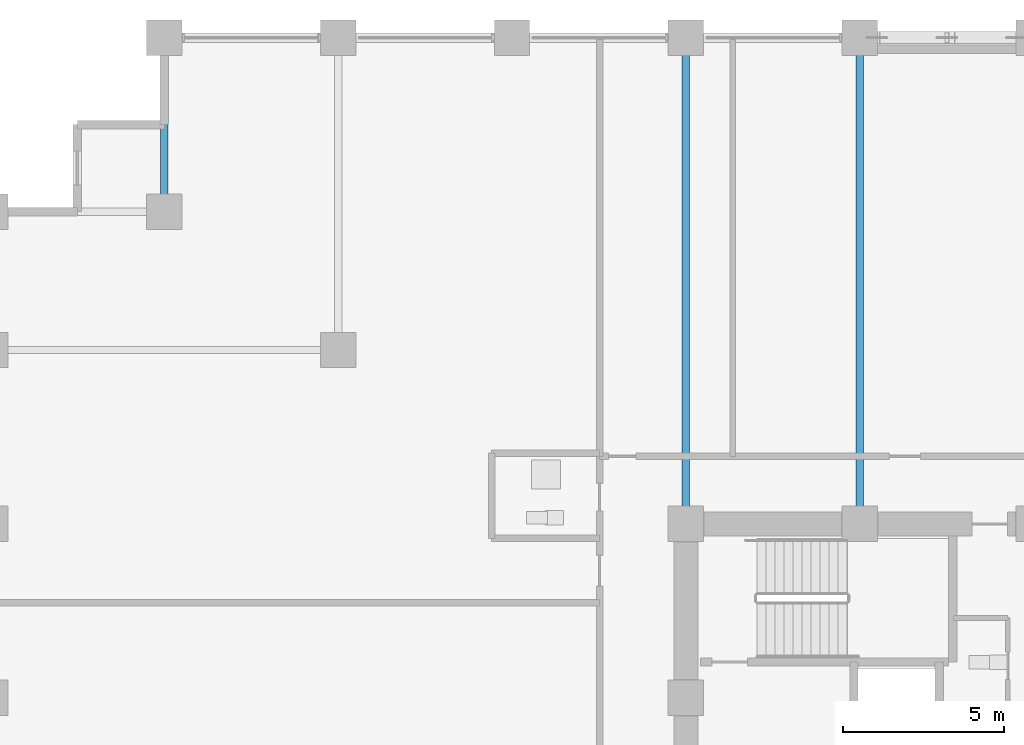
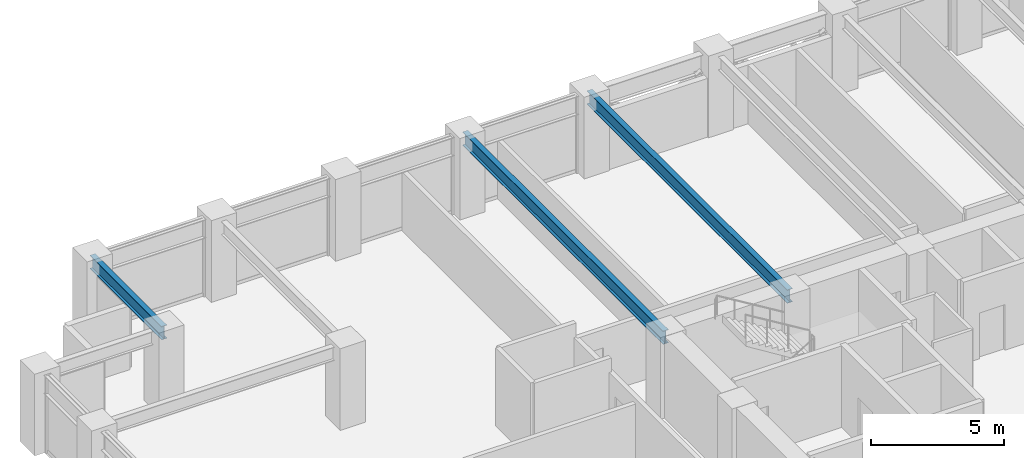
# One storey, part 13 of 29: 3 beams.
"""IFC4 building model written with IfcOpenShell, lengths in metres."""

import ifcopenshell
import ifcopenshell.guid

model = None  # the IFC model being written
_history = None  # IfcOwnerHistory: only IFC2X3 demands one
_inside = {}  # id of a spatial element -> (the spatial element, [elements in it])
_under = {}  # id of a project, library or spatial element -> (it, [spatial elements below it])
_declared = {}  # id of a project -> (the project, [libraries it declares])
_typed = {}  # id of a type object -> (the type object, [elements of that type])
_made_of = {}  # id of a material, layer set ... -> (it, [elements and type objects made of it])


def new_model(schema):
    """Start an empty IFC model of exactly this schema.

    Asked for "IFC4X3", IfcOpenShell would pick the latest addendum, in which some entities
    have other attributes; the version numbers below select the first issue.
    IFC2X3 requires an IfcOwnerHistory on every rooted entity: one is made here for all.
    """
    global model, _history
    if schema == "IFC4X3":
        model = ifcopenshell.file(schema_version=(4, 3, 0, 0))
    else:
        model = ifcopenshell.file(schema=schema)
    _inside.clear()
    _under.clear()
    _declared.clear()
    _typed.clear()
    _made_of.clear()
    _history = None
    if model.schema == "IFC2X3":
        org = make("IfcOrganization", Name="unknown")
        user = make(
            "IfcPersonAndOrganization",
            ThePerson=make("IfcPerson", FamilyName="unknown"),
            TheOrganization=org,
        )
        app = make(
            "IfcApplication",
            ApplicationDeveloper=org,
            Version="unknown",
            ApplicationFullName="unknown",
            ApplicationIdentifier="unknown",
        )
        _history = make(
            "IfcOwnerHistory",
            OwningUser=user,
            OwningApplication=app,
            ChangeAction="ADDED",
            CreationDate=0,
        )
    return model


def make(cls, **values):
    """One entity of the class cls with the attributes given. An attribute that is None is left unset."""
    return model.create_entity(
        cls, **{name: value for name, value in values.items() if value is not None}
    )


def rooted(cls, **values):
    """An entity with a GlobalId (a new one), such as an element, a storey or a relation."""
    return make(cls, GlobalId=ifcopenshell.guid.new(), OwnerHistory=_history, **values)


def si_unit(unit_type, name, prefix=None):
    """IfcSIUnit, for example si_unit("LENGTHUNIT", "METRE", prefix="MILLI")."""
    return make("IfcSIUnit", UnitType=unit_type, Prefix=prefix, Name=name)


def assignment(units):
    """IfcUnitAssignment: the units of a project."""
    return None if units is None else make("IfcUnitAssignment", Units=units)


def point(xyz):
    """IfcCartesianPoint."""
    return None if xyz is None else make("IfcCartesianPoint", Coordinates=xyz)


def direction(xyz):
    """IfcDirection."""
    return None if xyz is None else make("IfcDirection", DirectionRatios=xyz)


def frame(location, z_axis=None, x_axis=None):
    """IfcAxis2Placement3D, a coordinate frame: its origin and axes. An axis left out is left unset."""
    return make(
        "IfcAxis2Placement3D",
        Location=point(location),
        Axis=direction(z_axis),
        RefDirection=direction(x_axis),
    )


def frame_2d(location, x_axis=None):
    """IfcAxis2Placement2D, a coordinate frame in the plane: its origin and x axis."""
    return make(
        "IfcAxis2Placement2D", Location=point(location), RefDirection=direction(x_axis)
    )


def origin():
    """The frame at (0, 0, 0) with its axes left unset."""
    return frame((0.0, 0.0, 0.0))


def origin_2d():
    """The frame at (0, 0) in the plane with its x axis left unset."""
    return frame_2d((0.0, 0.0))


def place(relative_to, where):
    """IfcLocalPlacement: puts the frame where relative to a parent placement (None: the world)."""
    return make(
        "IfcLocalPlacement", PlacementRelTo=relative_to, RelativePlacement=where
    )


def context(
    kind, dimensions, precision=None, world=None, true_north=None, identifier=None
):
    """IfcGeometricRepresentationContext, for example the 3D "Model" context."""
    return make(
        "IfcGeometricRepresentationContext",
        ContextIdentifier=identifier,
        ContextType=kind,
        CoordinateSpaceDimension=dimensions,
        Precision=precision,
        WorldCoordinateSystem=world,
        TrueNorth=true_north,
    )


def subcontext(parent, identifier, kind, view, scale=None):
    """IfcGeometricRepresentationSubContext, for example "Body" below "Model"."""
    return make(
        "IfcGeometricRepresentationSubContext",
        ContextIdentifier=identifier,
        ContextType=kind,
        ParentContext=parent,
        TargetScale=scale,
        TargetView=view,
    )


def project(units=None, contexts=None):
    """IfcProject with its units and contexts."""
    return rooted(
        "IfcProject",
        Name="project",
        RepresentationContexts=contexts,
        UnitsInContext=assignment(units),
    )


def spatial(cls, under=None, at=None, **own):
    """A site, building, storey or space (cls), placed at a placement, below another one or the project."""
    s = rooted(cls, ObjectPlacement=at, **own)
    if under is not None:
        _under.setdefault(under.id(), (under, []))[1].append(s)
    return s


def profile(cls, at=None, kind="AREA", **sizes):
    """A parametric profile (cls). Its sizes go by their IFC names, for example OverallWidth=200.0."""
    return make(cls, ProfileType=kind, Position=at, **sizes)


def i_section(**sizes):
    """IfcIShapeProfileDef."""
    return profile("IfcIShapeProfileDef", **sizes)


def extrude(swept, where, along, depth):
    """IfcExtrudedAreaSolid: the profile swept, set in the frame where, extruded along a direction by depth."""
    return make(
        "IfcExtrudedAreaSolid",
        SweptArea=swept,
        Position=where,
        ExtrudedDirection=direction(along),
        Depth=depth,
    )


def shape(context_of_items, identifier, shape_type, items):
    """IfcShapeRepresentation: the items that make up one representation, for example the "Body"."""
    return make(
        "IfcShapeRepresentation",
        ContextOfItems=context_of_items,
        RepresentationIdentifier=identifier,
        RepresentationType=shape_type,
        Items=items,
    )


def material(Name=None, Category=None):
    """IfcMaterial."""
    return make("IfcMaterial", Name=Name, Category=Category)


def material_profile(
    of_material, cross_section, Name=None, Category=None, Priority=None
):
    """IfcMaterialProfile: a cross section and its material."""
    return make(
        "IfcMaterialProfile",
        Name=Name,
        Material=of_material,
        Profile=cross_section,
        Priority=Priority,
        Category=Category,
    )


def profile_set(profiles, Name=None, composite=None):
    """IfcMaterialProfileSet."""
    return make(
        "IfcMaterialProfileSet",
        Name=Name,
        MaterialProfiles=profiles,
        CompositeProfile=composite,
    )


def made_of(thing, what):
    """Note that an element or type object is made of a material, layer set ...; save() writes the relation."""
    if what is not None:
        _made_of.setdefault(what.id(), (what, []))[1].append(thing)
    return thing


def type_object(cls, material=None, **own):
    """A type object (cls), such as IfcWallType, which elements share."""
    return made_of(rooted(cls, **own), material)


def element(
    cls,
    number,
    at=None,
    inside=None,
    cuts=None,
    type_object=None,
    material=None,
    context=None,
    identifier="Body",
    shape_type=None,
    held_by="IfcProductDefinitionShape",
    body=None,
    shapes=None,
    **own,
):
    """One element of the class cls, such as IfcWall. Its Tag is "e" and its number.

    at: its placement. inside: the storey or other place that contains it. cuts: it is an
    opening in that element (IfcRelVoidsElement). A single representation is given by context,
    identifier, shape_type and body (its items); several are given by shapes. held_by: the class
    of the entity that holds the representations. save() writes the other relations.
    """
    e = rooted(cls, Tag="e%d" % number, ObjectPlacement=at, **own)
    if body is not None:
        shapes = [shape(context, identifier, shape_type, body)]
    if shapes is not None:
        e.Representation = make(held_by, Representations=shapes)
    if inside is not None:
        _inside.setdefault(inside.id(), (inside, []))[1].append(e)
    if cuts is not None:
        rooted(
            "IfcRelVoidsElement", RelatingBuildingElement=cuts, RelatedOpeningElement=e
        )
    if type_object is not None:
        _typed.setdefault(type_object.id(), (type_object, []))[1].append(e)
    return made_of(e, material)


def aggregate(whole, parts):
    """IfcRelAggregates: a whole, such as a stair, and the parts it consists of."""
    return rooted("IfcRelAggregates", RelatingObject=whole, RelatedObjects=parts)


def save(model, path):
    """Write the relations noted so far, then the file.

    IfcRelAggregates (storeys below a building ...), IfcRelContainedInSpatialStructure (elements
    in a storey), IfcRelDefinesByType, IfcRelAssociatesMaterial and IfcRelDeclares: one each for
    every whole, place, type object, material and project.
    """
    for whole, parts in _under.values():
        aggregate(whole, parts)
    for where, things in _inside.values():
        rooted(
            "IfcRelContainedInSpatialStructure",
            RelatedElements=things,
            RelatingStructure=where,
        )
    for kind, things in _typed.values():
        rooted("IfcRelDefinesByType", RelatedObjects=things, RelatingType=kind)
    for what, things in _made_of.values():
        rooted("IfcRelAssociatesMaterial", RelatedObjects=things, RelatingMaterial=what)
    for by, libraries in _declared.values():
        rooted("IfcRelDeclares", RelatingContext=by, RelatedDefinitions=libraries)
    model.write(path)


model = new_model("IFC4")

# Units and contexts
model_context = context("Model", 3, precision=1e-05, world=origin(), true_north=direction((0.0, 1.0)))
body_context = subcontext(model_context, "Body", "Model", "MODEL_VIEW")
ifc_project = project(units=[si_unit("LENGTHUNIT", "METRE"), si_unit("AREAUNIT", "SQUARE_METRE"), si_unit("VOLUMEUNIT", "CUBIC_METRE"), si_unit("PLANEANGLEUNIT", "RADIAN"), si_unit("MASSUNIT", "GRAM", prefix="KILO")], contexts=[model_context])

# Site, building, storey
site_placement = place(None, origin())
site = spatial("IfcSite", under=ifc_project, at=site_placement, CompositionType="ELEMENT")
building_placement = place(site_placement, origin())
building = spatial("IfcBuilding", under=site, at=building_placement, Name="Surkhivell Harbour Commons", CompositionType="ELEMENT")
storey_placement = place(building_placement, frame((0.0, 0.0, 90.75)))
storey = spatial("IfcBuildingStorey", under=building, at=storey_placement, Name="L23", CompositionType="ELEMENT", Elevation=90.75)

# Beams
ifc_material = material(Name="Steel S355", Category="steel")
ifc_material_profile = material_profile(ifc_material, i_section(OverallWidth=0.22998046875, OverallDepth=0.616943359375, WebThickness=0.01318359375, FlangeThickness=0.022216796875, at=origin_2d()), Name="UB610x229x140")
ifc_profile_set = profile_set([ifc_material_profile], Name="Steel S355")
beam_type = type_object("IfcBeamType", Name="BM-GRD-610B", PredefinedType="BEAM", material=ifc_profile_set)
beam_placement = place(storey_placement, frame((-27.0, 20.5, 3.261474609375), z_axis=(0.0, 1.0, 0.0), x_axis=(-1.0, 0.0, 0.0)))
element("IfcBeam", 1, at=beam_placement, inside=storey, type_object=beam_type, Name="L23 Floor Girder (-27.0,20.5)", PredefinedType="BEAM", context=body_context, shape_type="SweptSolid", body=[
    extrude(i_section(OverallWidth=0.22998046875, OverallDepth=0.616943359375, WebThickness=0.01318359375, FlangeThickness=0.022216796875, at=origin_2d()), origin(), (0.0, 0.0, 1.0), 5.39990234375),
])
for number, where, z_axis, x_axis, name in (
    (2, (-10.800048828125, 10.800048828125, 3.261474609375), (0.0, 1.0, 0.0), (-1.0, 0.0, 0.0), "L23 Floor Girder (-10.8,10.8)"),
    (3, (-5.39990234375, 10.800048828125, 3.261474609375), (0.0, 1.0, 0.0), (-1.0, 0.0, 0.0), "L23 Floor Girder (-5.4,10.8)"),
):
    element("IfcBeam", number, at=place(storey_placement, frame(where, z_axis=z_axis, x_axis=x_axis)), inside=storey, type_object=beam_type, Name=name, PredefinedType="BEAM", context=body_context, shape_type="SweptSolid", body=[
        extrude(i_section(OverallWidth=0.22998046875, OverallDepth=0.616943359375, WebThickness=0.01318359375, FlangeThickness=0.022216796875, at=origin_2d()), origin(), (0.0, 0.0, 1.0), 15.099853515625),
    ])

save(model, "model.ifc")
